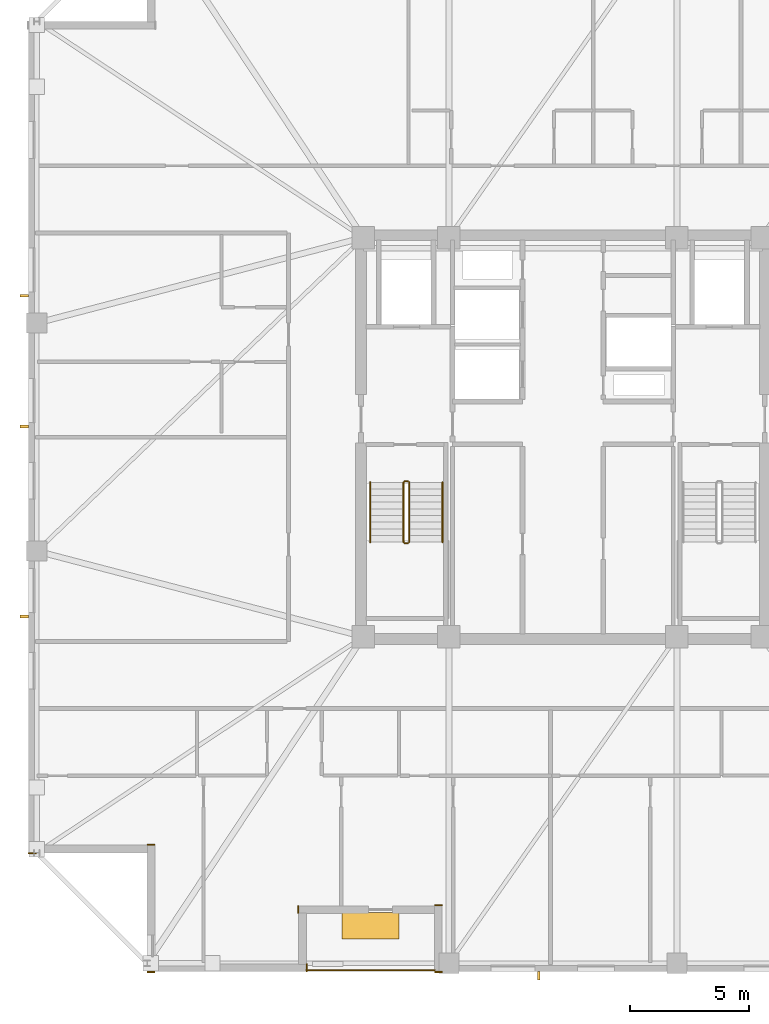
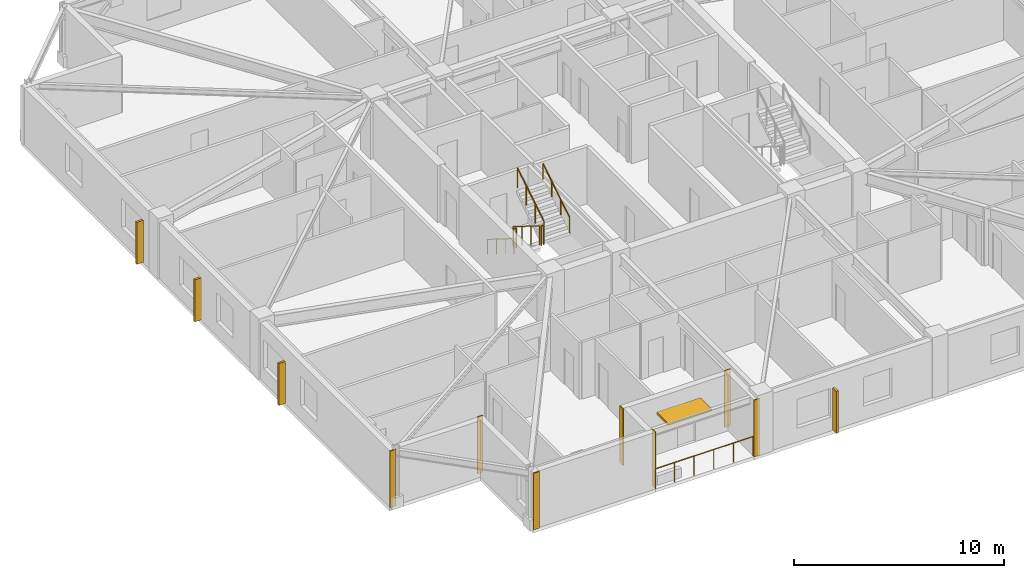
# One storey, part 12 of 15: 7 coverings, 7 railings, 5 shading devices.
"""IFC4 building model written with IfcOpenShell, lengths in metres."""

from ifc_helpers import new_model, si_unit, direction, frame, frame_2d, origin, origin_2d, place, context, subcontext, project, spatial, rectangle, circle, extrude, material, layer, layer_set, type_object, element, save


model = new_model("IFC4")

# Units and contexts
model_context = context("Model", 3, precision=1e-05, world=origin(), true_north=direction((0.0, 1.0)))
body_context = subcontext(model_context, "Body", "Model", "MODEL_VIEW")
ifc_project = project(units=[si_unit("LENGTHUNIT", "METRE"), si_unit("AREAUNIT", "SQUARE_METRE"), si_unit("VOLUMEUNIT", "CUBIC_METRE"), si_unit("PLANEANGLEUNIT", "RADIAN"), si_unit("MASSUNIT", "GRAM", prefix="KILO")], contexts=[model_context])

# Site, building, storey
site_placement = place(None, origin())
site = spatial("IfcSite", under=ifc_project, at=site_placement, CompositionType="ELEMENT")
building_placement = place(site_placement, origin())
building = spatial("IfcBuilding", under=site, at=building_placement, Name="Cairnveth Concourse Tower", CompositionType="ELEMENT")
storey_placement = place(building_placement, frame((0.0, 0.0, 265.5)))
storey = spatial("IfcBuildingStorey", under=building, at=storey_placement, Name="L73", CompositionType="ELEMENT", Elevation=265.5)

# Coverings
ifc_material_1 = material(Name="Dressed Melbourne Bluestone Cladding", Category="masonry")
ifc_layer = layer(ifc_material_1, 0.050048828125)
ifc_layer_set = layer_set([ifc_layer], Name="Dressed Melbourne Bluestone Cladding")
covering_type = type_object("IfcCoveringType", Name="DRESSED BLUESTONE PLINTH CLADDING 50", PredefinedType="CLADDING", material=ifc_layer_set)
for number, where, z_axis, x_axis, name in (
    (1, (41.219970703125, 16.820068359375, 0.0), (0.0, 0.0, 1.0), (0.0, -1.0, 0.0), "Melbourne Bluestone Corner Quoin L73-1103"),
    (2, (34.820068359375, 16.47998046875, 0.0), (0.0, 0.0, 1.0), (-1.0, 0.0, 0.0), "Melbourne Bluestone Corner Quoin L73-1104"),
    (3, (34.820068359375, 21.840087890625, 0.0), (0.0, 0.0, 1.0), (-1.0, 0.0, 0.0), "Melbourne Bluestone Corner Quoin L73-1105"),
    (4, (29.820068359375, 21.47998046875, 0.0), (0.0, 0.0, 1.0), (-1.0, 0.0, 0.0), "Melbourne Bluestone Corner Quoin L73-1106"),
):
    element("IfcCovering", number, at=place(storey_placement, frame(where, z_axis=z_axis, x_axis=x_axis)), inside=storey, type_object=covering_type, Name=name, PredefinedType="CLADDING", context=body_context, shape_type="SweptSolid", body=[
        extrude(rectangle(XDim=0.320068359375, YDim=0.050048828125, at=frame_2d((0.16015625, 0.0))), origin(), (0.0, 0.0, 1.0), 3.2900390625),
    ])
for number, where, z_axis, x_axis, name in (
    (5, (46.919921875, 16.47998046875, 0.0), (0.0, 0.0, 1.0), (-1.0, 0.0, 0.0), "Melbourne Bluestone Corner Quoin L73-1116"),
    (6, (46.919921875, 19.2900390625, 0.0), (0.0, 0.0, 1.0), (-1.0, 0.0, 0.0), "Melbourne Bluestone Corner Quoin L73-1117"),
):
    element("IfcCovering", number, at=place(storey_placement, frame(where, z_axis=z_axis, x_axis=x_axis)), inside=storey, type_object=covering_type, Name=name, PredefinedType="CLADDING", context=body_context, shape_type="SweptSolid", body=[
        extrude(rectangle(XDim=0.31982421875, YDim=0.050048828125, at=frame_2d((0.159912109375, 0.0))), origin(), (0.0, 0.0, 1.0), 3.2900390625),
    ])
covering_placement = place(storey_placement, frame((40.860107421875, 19.27001953125, 0.0), z_axis=(0.0, 0.0, 1.0), x_axis=(0.0, -1.0, 0.0)))
element("IfcCovering", 7, at=covering_placement, inside=storey, type_object=covering_type, Name="Melbourne Bluestone Corner Quoin L73-1118", PredefinedType="CLADDING", context=body_context, shape_type="SweptSolid", body=[
    extrude(rectangle(XDim=0.320068359375, YDim=0.050048828125, at=frame_2d((0.16015625, 0.0))), origin(), (0.0, 0.0, 1.0), 3.2900390625),
])

# Shading devices
ifc_material_2 = material(Name="Architectural Bronze Anodised Aluminium 6063-T6", Category="aluminium")
shading_device_type_1 = type_object("IfcShadingDeviceType", Name="GOTHIC BRONZE VERTICAL LANCET FIN", PredefinedType="USERDEFINED", material=ifc_material_2)
for number, where, z_axis, x_axis, name in (
    (8, (29.324951171875, 31.453125, 0.030029296875), (0.0, 0.0, 1.0), (0.0, 1.0, 0.0), "Gothic Bronze Vertical Fin L73-3-3"),
    (9, (29.324951171875, 39.45361328125, 0.030029296875), (0.0, 0.0, 1.0), (0.0, 1.0, 0.0), "Gothic Bronze Vertical Fin L73-3-5"),
    (10, (29.324951171875, 44.9541015625, 0.030029296875), (0.0, 0.0, 1.0), (0.0, 1.0, 0.0), "Gothic Bronze Vertical Fin L73-3-7"),
    (11, (50.983154296875, 16.324951171875, 0.030029296875), (0.0, 0.0, 1.0), (1.0, 0.0, 0.0), "Gothic Bronze Vertical Fin L73-12-5"),
):
    element("IfcShadingDevice", number, at=place(storey_placement, frame(where, z_axis=z_axis, x_axis=x_axis)), inside=storey, type_object=shading_device_type_1, Name=name, ObjectType="VERTICAL FIN", PredefinedType="USERDEFINED", context=body_context, shape_type="SweptSolid", body=[
        extrude(rectangle(XDim=0.1201171875, YDim=0.360107421875, at=origin_2d()), origin(), (0.0, 0.0, 1.0), 2.43798828125),
    ])
shading_device_type_2 = type_object("IfcShadingDeviceType", Name="SPIRAL TERRACE SUNSHADE CANOPY", PredefinedType="USERDEFINED", material=ifc_material_2)
shading_device_placement = place(storey_placement, frame((43.89990234375, 18.429931640625, 2.31787109375), z_axis=(0.0, 0.0, 1.0), x_axis=(1.0, 0.0, 0.0)))
element("IfcShadingDevice", 12, at=shading_device_placement, inside=storey, type_object=shading_device_type_2, Name="Spiral Terrace Sunshade L73", ObjectType="TERRACE SUNSHADE", PredefinedType="USERDEFINED", context=body_context, shape_type="SweptSolid", body=[
    extrude(rectangle(XDim=2.39990234375, YDim=1.10009765625, at=origin_2d()), origin(), (0.0, 0.0, 1.0), 0.1201171875),
])

# Railings
ifc_material_3 = material(Name="Steel Grade 350", Category="steel")
railing_type_1 = type_object("IfcRailingType", Name="STAIR GUARDRAIL 1150", PredefinedType="GUARDRAIL", material=ifc_material_3)
railing_1_placement = place(storey_placement, frame((45.2900390625, 37.10009765625, 0.175048828125)))
element("IfcRailing", 13, at=railing_1_placement, inside=storey, type_object=railing_type_1, Name="L73 ST-1 stair guard 1", PredefinedType="GUARDRAIL", context=body_context, shape_type="SweptSolid", body=[
    extrude(circle(Radius=0.02392578125, at=origin_2d()), frame((0.0, 0.0, 1.1259765625), z_axis=(0.0, -0.848007534815, 0.529984170421), x_axis=(1.0, 0.0, 0.0)), (0.0, 0.0, 1.0), 2.9716796875),
    extrude(circle(Radius=0.02099609375, at=origin_2d()), origin(), (0.0, 0.0, 1.0), 1.101806640625),
    extrude(circle(Radius=0.02099609375, at=origin_2d()), frame((0.0, -0.840087890625, 0.52490234375)), (0.0, 0.0, 1.0), 1.101806640625),
    extrude(circle(Radius=0.02099609375, at=origin_2d()), frame((0.0, -1.679931640625, 1.050048828125)), (0.0, 0.0, 1.0), 1.101806640625),
    extrude(circle(Radius=0.02099609375, at=origin_2d()), frame((0.0, -2.52001953125, 1.574951171875)), (0.0, 0.0, 1.0), 1.101806640625),
])
railing_2_placement = place(storey_placement, frame((45.340087890625, 34.530029296875, 1.75)))
element("IfcRailing", 14, at=railing_2_placement, inside=storey, type_object=railing_type_1, Name="L73 ST-1 stair guard 2", PredefinedType="GUARDRAIL", context=body_context, shape_type="SweptSolid", body=[
    extrude(circle(Radius=0.02392578125, at=origin_2d()), frame((0.0, 0.0, 1.1259765625), z_axis=(1.0, 0.0, 0.0), x_axis=(0.0, 1.0, 0.0)), (0.0, 0.0, 1.0), 0.139892578125),
    extrude(circle(Radius=0.02099609375, at=origin_2d()), origin(), (0.0, 0.0, 1.0), 1.101806640625),
    extrude(circle(Radius=0.02099609375, at=origin_2d()), frame((0.139892578125, 0.0, 0.0)), (0.0, 0.0, 1.0), 1.101806640625),
])
railing_3_placement = place(storey_placement, frame((45.530029296875, 34.580078125, 1.925048828125)))
element("IfcRailing", 15, at=railing_3_placement, inside=storey, type_object=railing_type_1, Name="L73 ST-1 stair guard 3", PredefinedType="GUARDRAIL", context=body_context, shape_type="SweptSolid", body=[
    extrude(circle(Radius=0.02392578125, at=origin_2d()), frame((0.0, 0.0, 1.1259765625), z_axis=(0.0, 0.848007534815, 0.529984170421), x_axis=(-1.0, 0.0, 0.0)), (0.0, 0.0, 1.0), 2.9716796875),
    extrude(circle(Radius=0.02099609375, at=origin_2d()), origin(), (0.0, 0.0, 1.0), 1.101806640625),
    extrude(circle(Radius=0.02099609375, at=origin_2d()), frame((0.0, 0.840087890625, 0.52490234375)), (0.0, 0.0, 1.0), 1.101806640625),
    extrude(circle(Radius=0.02099609375, at=origin_2d()), frame((0.0, 1.679931640625, 1.050048828125)), (0.0, 0.0, 1.0), 1.101806640625),
    extrude(circle(Radius=0.02099609375, at=origin_2d()), frame((0.0, 2.52001953125, 1.574951171875)), (0.0, 0.0, 1.0), 1.101806640625),
])
railing_4_placement = place(storey_placement, frame((45.340087890625, 37.14990234375, 0.0)))
element("IfcRailing", 16, at=railing_4_placement, inside=storey, type_object=railing_type_1, Name="L73 ST-1 stair guard 4", PredefinedType="GUARDRAIL", context=body_context, shape_type="SweptSolid", body=[
    extrude(circle(Radius=0.02392578125, at=origin_2d()), frame((0.0, 0.0, 1.1259765625), z_axis=(1.0, 0.0, 0.0), x_axis=(0.0, 1.0, 0.0)), (0.0, 0.0, 1.0), 0.139892578125),
    extrude(circle(Radius=0.02099609375, at=origin_2d()), origin(), (0.0, 0.0, 1.0), 1.101806640625),
    extrude(circle(Radius=0.02099609375, at=origin_2d()), frame((0.139892578125, 0.0, 0.0)), (0.0, 0.0, 1.0), 1.101806640625),
])
railing_type_2 = type_object("IfcRailingType", Name="STAIR WALL HANDRAIL 900", PredefinedType="HANDRAIL", material=ifc_material_3)
railing_5_placement = place(storey_placement, frame((43.889892578125, 37.10009765625, 0.175048828125)))
element("IfcRailing", 17, at=railing_5_placement, inside=storey, type_object=railing_type_2, Name="L73 ST-1 stair handrail 1", PredefinedType="HANDRAIL", context=body_context, shape_type="SweptSolid", body=[
    extrude(circle(Radius=0.02392578125, at=origin_2d()), frame((0.0, 0.0, 0.8759765625), z_axis=(0.0, -0.848007534815, 0.529984170421), x_axis=(1.0, 0.0, 0.0)), (0.0, 0.0, 1.0), 2.9716796875),
    extrude(circle(Radius=0.02099609375, at=origin_2d()), origin(), (0.0, 0.0, 1.0), 0.851806640625),
    extrude(circle(Radius=0.02099609375, at=origin_2d()), frame((0.0, -0.840087890625, 0.52490234375)), (0.0, 0.0, 1.0), 0.851806640625),
    extrude(circle(Radius=0.02099609375, at=origin_2d()), frame((0.0, -1.679931640625, 1.050048828125)), (0.0, 0.0, 1.0), 0.851806640625),
    extrude(circle(Radius=0.02099609375, at=origin_2d()), frame((0.0, -2.52001953125, 1.574951171875)), (0.0, 0.0, 1.0), 0.851806640625),
])
railing_6_placement = place(storey_placement, frame((46.929931640625, 34.580078125, 1.925048828125)))
element("IfcRailing", 18, at=railing_6_placement, inside=storey, type_object=railing_type_2, Name="L73 ST-1 stair handrail 2", PredefinedType="HANDRAIL", context=body_context, shape_type="SweptSolid", body=[
    extrude(circle(Radius=0.02392578125, at=origin_2d()), frame((0.0, 0.0, 0.8759765625), z_axis=(0.0, 0.848007534815, 0.529984170421), x_axis=(-1.0, 0.0, 0.0)), (0.0, 0.0, 1.0), 2.9716796875),
    extrude(circle(Radius=0.02099609375, at=origin_2d()), origin(), (0.0, 0.0, 1.0), 0.851806640625),
    extrude(circle(Radius=0.02099609375, at=origin_2d()), frame((0.0, 0.840087890625, 0.52490234375)), (0.0, 0.0, 1.0), 0.851806640625),
    extrude(circle(Radius=0.02099609375, at=origin_2d()), frame((0.0, 1.679931640625, 1.050048828125)), (0.0, 0.0, 1.0), 0.851806640625),
    extrude(circle(Radius=0.02099609375, at=origin_2d()), frame((0.0, 2.52001953125, 1.574951171875)), (0.0, 0.0, 1.0), 0.851806640625),
])
railing_type_3 = type_object("IfcRailingType", Name="TERRACE BRONZE BALUSTRADE 1150", PredefinedType="BALUSTRADE", material=ifc_material_2)
railing_7_placement = place(storey_placement, frame((41.199951171875, 16.56005859375, 0.0)))
element("IfcRailing", 19, at=railing_7_placement, inside=storey, type_object=railing_type_3, Name="Terrace Balustrade RL-L73-TERR", PredefinedType="BALUSTRADE", context=body_context, shape_type="SweptSolid", body=[
    extrude(circle(Radius=0.02490234375, at=origin_2d()), frame((0.0, 0.0, 1.125), z_axis=(1.0, 0.0, 0.0), x_axis=(0.0, 1.0, 0.0)), (0.0, 0.0, 1.0), 5.400146484375),
    extrude(circle(Radius=0.02099609375, at=origin_2d()), origin(), (0.0, 0.0, 1.0), 1.099853515625),
    extrude(circle(Radius=0.02099609375, at=origin_2d()), frame((1.080078125, 0.0, 0.0)), (0.0, 0.0, 1.0), 1.099853515625),
    extrude(circle(Radius=0.02099609375, at=origin_2d()), frame((2.16015625, 0.0, 0.0)), (0.0, 0.0, 1.0), 1.099853515625),
    extrude(circle(Radius=0.02099609375, at=origin_2d()), frame((3.239990234375, 0.0, 0.0)), (0.0, 0.0, 1.0), 1.099853515625),
    extrude(circle(Radius=0.02099609375, at=origin_2d()), frame((4.320068359375, 0.0, 0.0)), (0.0, 0.0, 1.0), 1.099853515625),
    extrude(circle(Radius=0.02099609375, at=origin_2d()), frame((5.400146484375, 0.0, 0.0)), (0.0, 0.0, 1.0), 1.099853515625),
])

save(model, "model.ifc")
